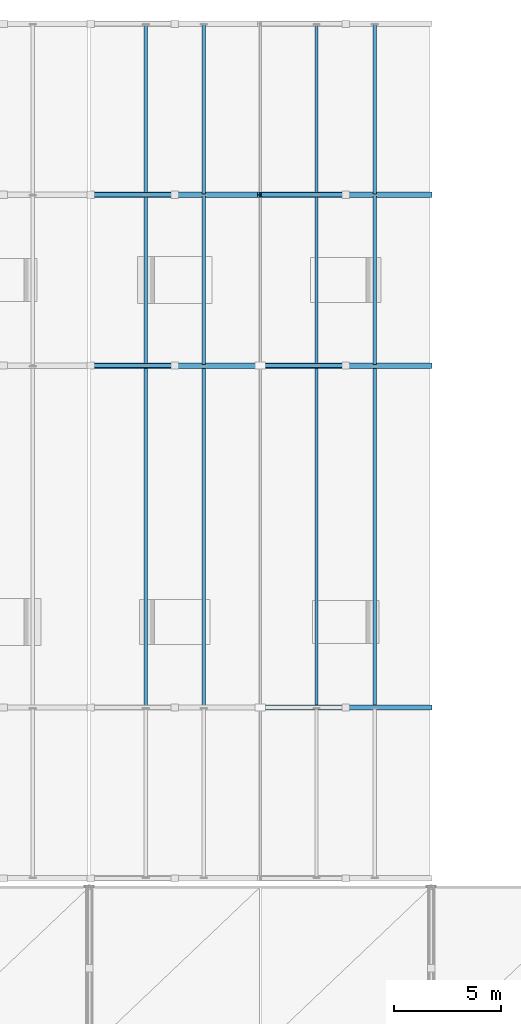
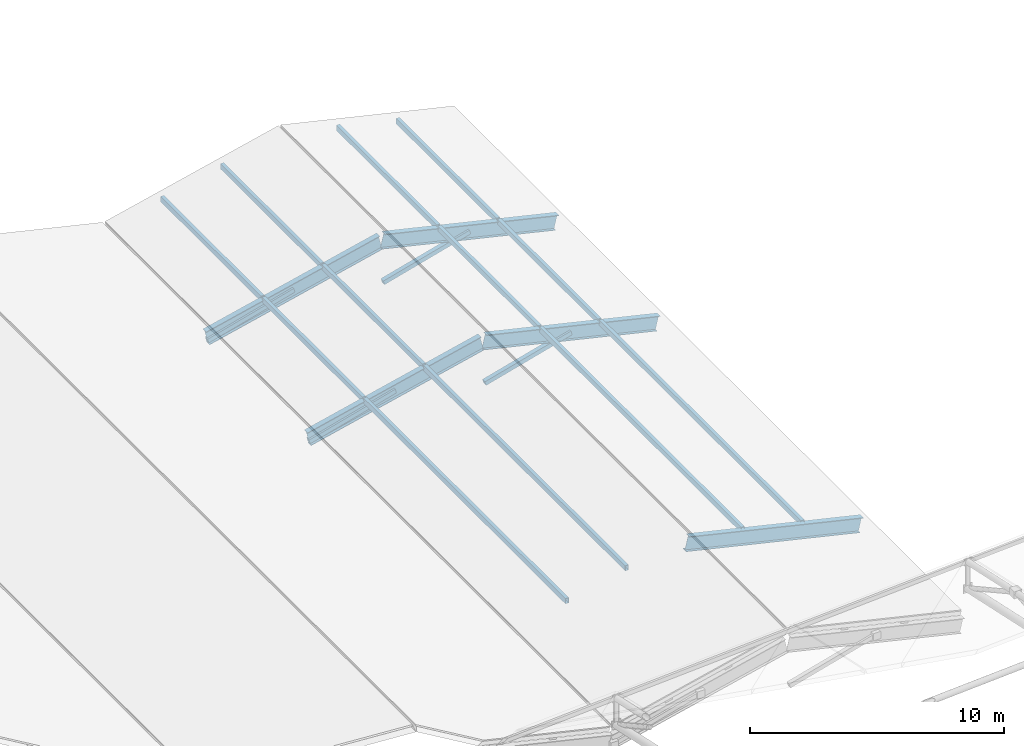
# One storey, part 24 of 67: 16 members, 5 beams.
"""IFC4 building model written with IfcOpenShell, lengths in metres."""

from ifc_helpers import new_model, si_unit, direction, frame, origin, origin_2d, place, context, subcontext, project, spatial, hollow_rectangle, i_section, extrude, material, material_profile, profile_set, type_object, element, save


model = new_model("IFC4")

# Units and contexts
model_context = context("Model", 3, precision=1e-05, world=origin(), true_north=direction((0.0, 1.0)))
body_context = subcontext(model_context, "Body", "Model", "MODEL_VIEW")
ifc_project = project(units=[si_unit("LENGTHUNIT", "METRE"), si_unit("AREAUNIT", "SQUARE_METRE"), si_unit("VOLUMEUNIT", "CUBIC_METRE"), si_unit("PLANEANGLEUNIT", "RADIAN"), si_unit("MASSUNIT", "GRAM", prefix="KILO")], contexts=[model_context])

# Site, building, storey
site_placement = place(None, origin())
site = spatial("IfcSite", under=ifc_project, at=site_placement, CompositionType="ELEMENT")
building_placement = place(site_placement, origin())
building = spatial("IfcBuilding", under=site, at=building_placement, Name="Drelvath Fold Interchange", CompositionType="ELEMENT")
storey_placement = place(building_placement, frame((0.0, 0.0, 15.60009765625)))
storey = spatial("IfcBuildingStorey", under=building, at=storey_placement, Name="L03", CompositionType="ELEMENT", Elevation=15.60009765625)

# Beams
ifc_material_1 = material(Name="Steel ASTM A992 Grade 50", Category="steel")
ifc_material_profile_1 = material_profile(ifc_material_1, i_section(OverallWidth=0.256103515625, OverallDepth=0.693115234375, WebThickness=0.014404296875, FlangeThickness=0.023681640625, at=origin_2d()), Name="W27X114")
ifc_profile_set_1 = profile_set([ifc_material_profile_1], Name="Steel ASTM A992 Grade 50")
beam_type = type_object("IfcBeamType", Name="BM-W27X114", PredefinedType="BEAM", material=ifc_profile_set_1)
for number, where, z_axis, x_axis, name in (
    (1, (68.050048828125, 83.0, -0.10009765625), (0.973655780122, 0.0, 0.228022853754), (0.0, 1.0, 0.0), "Folded-plate roof truss rafter"),
    (2, (68.050048828125, 91.0, -0.10009765625), (0.973655780122, 0.0, 0.228022853754), (0.0, 1.0, 0.0), "Folded-plate roof truss rafter"),
    (3, (76.050048828125, 67.0, 1.75), (0.973655780122, 0.0, -0.228022853754), (0.0, 1.0, 0.0), "Folded-plate roof truss rafter"),
    (4, (76.050048828125, 83.0, 1.75), (0.973655780122, 0.0, -0.228022853754), (0.0, 1.0, 0.0), "Folded-plate roof truss rafter"),
    (5, (76.050048828125, 91.0, 1.75), (0.973655780122, 0.0, -0.228022853754), (0.0, 1.0, 0.0), "Folded-plate roof truss rafter"),
):
    element("IfcBeam", number, at=place(storey_placement, frame(where, z_axis=z_axis, x_axis=x_axis)), inside=storey, type_object=beam_type, Name=name, PredefinedType="BEAM", context=body_context, shape_type="SweptSolid", body=[
        extrude(i_section(OverallWidth=0.256103515625, OverallDepth=0.693115234375, WebThickness=0.014404296875, FlangeThickness=0.023681640625, at=origin_2d()), origin(), (0.0, 0.0, 1.0), 8.11376953125),
    ])

# Members
ifc_material_2 = material(Name="Steel ASTM A500 Grade C", Category="steel")
ifc_material_profile_2 = material_profile(ifc_material_2, hollow_rectangle(XDim=0.202880859375, YDim=0.202880859375, WallThickness=0.0087890625, at=origin_2d()), Name="HSS8X8X3/8")
ifc_profile_set_2 = profile_set([ifc_material_profile_2], Name="Steel ASTM A500 Grade C")
member_type_1 = type_object("IfcMemberType", Name="FP-WEB203", PredefinedType="BRACE", material=ifc_profile_set_2)
for number, where, z_axis, x_axis, name in (
    (6, (68.080078125, 83.0, -0.25), (0.964395563634, 0.0, 0.264463980237), (0.0, 1.0, 0.0), "L03 Folded-plate roof truss web brace FP-WEB203"),
    (7, (68.080078125, 91.0, -0.25), (0.964395563634, 0.0, 0.264463980237), (0.0, 1.0, 0.0), "L03 Folded-plate roof truss web brace FP-WEB203"),
    (8, (76.080078125, 83.0, -0.25), (0.964395563634, 0.0, 0.264463980237), (0.0, 1.0, 0.0), "L03 Folded-plate roof truss web brace FP-WEB203"),
    (9, (76.080078125, 91.0, -0.25), (0.964395563634, 0.0, 0.264463980237), (0.0, 1.0, 0.0), "L03 Folded-plate roof truss web brace FP-WEB203"),
):
    element("IfcMember", number, at=place(storey_placement, frame(where, z_axis=z_axis, x_axis=x_axis)), inside=storey, type_object=member_type_1, Name=name, PredefinedType="BRACE", context=body_context, shape_type="SweptSolid", body=[
        extrude(hollow_rectangle(XDim=0.202880859375, YDim=0.202880859375, WallThickness=0.0087890625, at=origin_2d()), origin(), (0.0, 0.0, 1.0), 4.064697265625),
    ])
ifc_material_profile_3 = material_profile(ifc_material_2, hollow_rectangle(XDim=0.152099609375, YDim=0.25390625, WallThickness=0.0087890625, at=origin_2d()), Name="HSS10X6X3/8")
ifc_profile_set_3 = profile_set([ifc_material_profile_3], Name="Steel ASTM A500 Grade C")
member_type_2 = type_object("IfcMemberType", Name="PR-HSS254", PredefinedType="PURLIN", material=ifc_profile_set_3)
member_1_placement = place(storey_placement, frame((70.639892578125, 67.0400390625, 0.827880859375), z_axis=(0.0, 1.0, 0.0), x_axis=(-1.0, 0.0, 0.0)))
element("IfcMember", 10, at=member_1_placement, inside=storey, type_object=member_type_2, Name="L03 Folded-plate roof purlin PR-HSS254", PredefinedType="PURLIN", context=body_context, shape_type="SweptSolid", body=[
    extrude(hollow_rectangle(XDim=0.152099609375, YDim=0.25390625, WallThickness=0.0087890625, at=origin_2d()), origin(), (0.0, 0.0, 1.0), 15.919921875),
])
for number, where, z_axis, x_axis, name in (
    (11, (70.639892578125, 83.0400390625, 0.827880859375), (0.0, 1.0, 0.0), (-1.0, 0.0, 0.0), "L03 Folded-plate roof purlin PR-HSS254"),
    (12, (70.639892578125, 91.0400390625, 0.827880859375), (0.0, 1.0, 0.0), (-1.0, 0.0, 0.0), "L03 Folded-plate roof purlin PR-HSS254"),
):
    element("IfcMember", number, at=place(storey_placement, frame(where, z_axis=z_axis, x_axis=x_axis)), inside=storey, type_object=member_type_2, Name=name, PredefinedType="PURLIN", context=body_context, shape_type="SweptSolid", body=[
        extrude(hollow_rectangle(XDim=0.152099609375, YDim=0.25390625, WallThickness=0.0087890625, at=origin_2d()), origin(), (0.0, 0.0, 1.0), 7.919921875),
    ])
member_2_placement = place(storey_placement, frame((73.360107421875, 67.0400390625, 1.456787109375), z_axis=(0.0, 1.0, 0.0), x_axis=(-1.0, 0.0, 0.0)))
element("IfcMember", 13, at=member_2_placement, inside=storey, type_object=member_type_2, Name="L03 Folded-plate roof purlin PR-HSS254", PredefinedType="PURLIN", context=body_context, shape_type="SweptSolid", body=[
    extrude(hollow_rectangle(XDim=0.152099609375, YDim=0.25390625, WallThickness=0.0087890625, at=origin_2d()), origin(), (0.0, 0.0, 1.0), 15.919921875),
])
for number, where, z_axis, x_axis, name in (
    (14, (73.360107421875, 83.0400390625, 1.456787109375), (0.0, 1.0, 0.0), (-1.0, 0.0, 0.0), "L03 Folded-plate roof purlin PR-HSS254"),
    (15, (73.360107421875, 91.0400390625, 1.456787109375), (0.0, 1.0, 0.0), (-1.0, 0.0, 0.0), "L03 Folded-plate roof purlin PR-HSS254"),
):
    element("IfcMember", number, at=place(storey_placement, frame(where, z_axis=z_axis, x_axis=x_axis)), inside=storey, type_object=member_type_2, Name=name, PredefinedType="PURLIN", context=body_context, shape_type="SweptSolid", body=[
        extrude(hollow_rectangle(XDim=0.152099609375, YDim=0.25390625, WallThickness=0.0087890625, at=origin_2d()), origin(), (0.0, 0.0, 1.0), 7.919921875),
    ])
member_3_placement = place(storey_placement, frame((78.639892578125, 67.0400390625, 1.456787109375), z_axis=(0.0, 1.0, 0.0), x_axis=(-1.0, 0.0, 0.0)))
element("IfcMember", 16, at=member_3_placement, inside=storey, type_object=member_type_2, Name="L03 Folded-plate roof purlin PR-HSS254", PredefinedType="PURLIN", context=body_context, shape_type="SweptSolid", body=[
    extrude(hollow_rectangle(XDim=0.152099609375, YDim=0.25390625, WallThickness=0.0087890625, at=origin_2d()), origin(), (0.0, 0.0, 1.0), 15.919921875),
])
for number, where, z_axis, x_axis, name in (
    (17, (78.639892578125, 83.0400390625, 1.456787109375), (0.0, 1.0, 0.0), (-1.0, 0.0, 0.0), "L03 Folded-plate roof purlin PR-HSS254"),
    (18, (78.639892578125, 91.0400390625, 1.456787109375), (0.0, 1.0, 0.0), (-1.0, 0.0, 0.0), "L03 Folded-plate roof purlin PR-HSS254"),
):
    element("IfcMember", number, at=place(storey_placement, frame(where, z_axis=z_axis, x_axis=x_axis)), inside=storey, type_object=member_type_2, Name=name, PredefinedType="PURLIN", context=body_context, shape_type="SweptSolid", body=[
        extrude(hollow_rectangle(XDim=0.152099609375, YDim=0.25390625, WallThickness=0.0087890625, at=origin_2d()), origin(), (0.0, 0.0, 1.0), 7.919921875),
    ])
member_4_placement = place(storey_placement, frame((81.360107421875, 67.0400390625, 0.827880859375), z_axis=(0.0, 1.0, 0.0), x_axis=(-1.0, 0.0, 0.0)))
element("IfcMember", 19, at=member_4_placement, inside=storey, type_object=member_type_2, Name="L03 Folded-plate roof purlin PR-HSS254", PredefinedType="PURLIN", context=body_context, shape_type="SweptSolid", body=[
    extrude(hollow_rectangle(XDim=0.152099609375, YDim=0.25390625, WallThickness=0.0087890625, at=origin_2d()), origin(), (0.0, 0.0, 1.0), 15.919921875),
])
for number, where, z_axis, x_axis, name in (
    (20, (81.360107421875, 83.0400390625, 0.827880859375), (0.0, 1.0, 0.0), (-1.0, 0.0, 0.0), "L03 Folded-plate roof purlin PR-HSS254"),
    (21, (81.360107421875, 91.0400390625, 0.827880859375), (0.0, 1.0, 0.0), (-1.0, 0.0, 0.0), "L03 Folded-plate roof purlin PR-HSS254"),
):
    element("IfcMember", number, at=place(storey_placement, frame(where, z_axis=z_axis, x_axis=x_axis)), inside=storey, type_object=member_type_2, Name=name, PredefinedType="PURLIN", context=body_context, shape_type="SweptSolid", body=[
        extrude(hollow_rectangle(XDim=0.152099609375, YDim=0.25390625, WallThickness=0.0087890625, at=origin_2d()), origin(), (0.0, 0.0, 1.0), 7.919921875),
    ])

save(model, "model.ifc")
